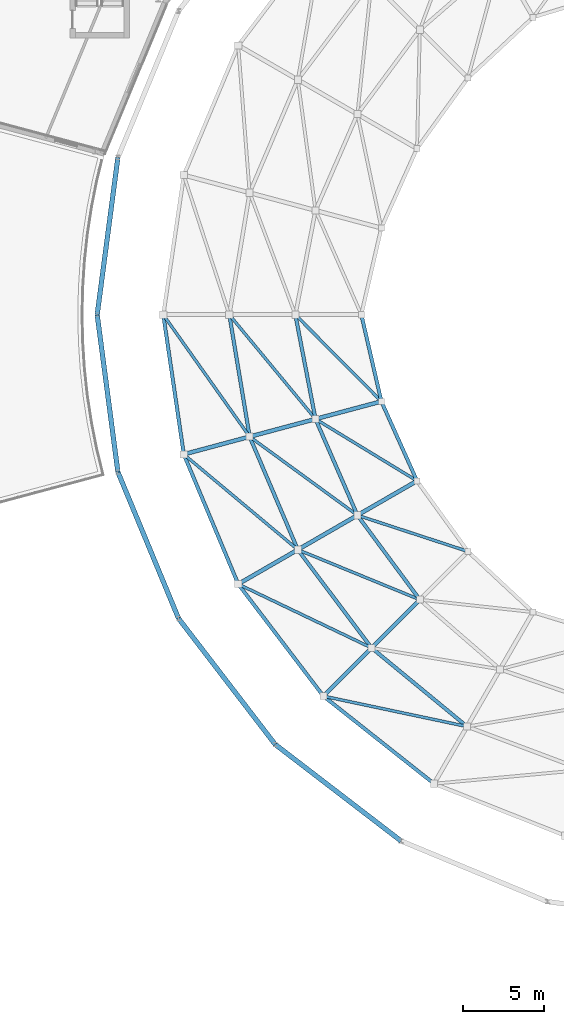
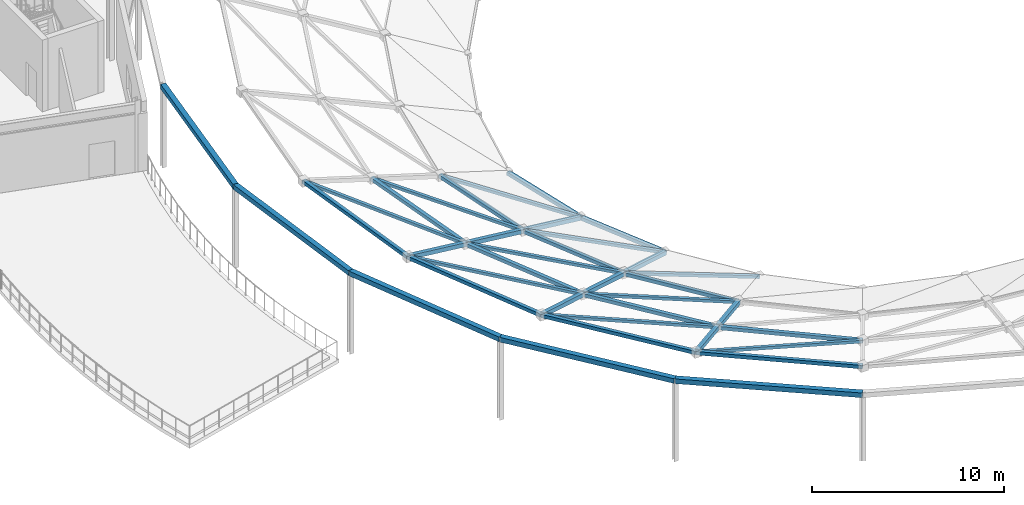
# One storey, part 14 of 89: 31 members, 5 beams.
"""IFC4 building model written with IfcOpenShell, lengths in metres."""

import ifcopenshell
import ifcopenshell.guid

model = None  # the IFC model being written
_history = None  # IfcOwnerHistory: only IFC2X3 demands one
_inside = {}  # id of a spatial element -> (the spatial element, [elements in it])
_under = {}  # id of a project, library or spatial element -> (it, [spatial elements below it])
_declared = {}  # id of a project -> (the project, [libraries it declares])
_typed = {}  # id of a type object -> (the type object, [elements of that type])
_made_of = {}  # id of a material, layer set ... -> (it, [elements and type objects made of it])


def new_model(schema):
    """Start an empty IFC model of exactly this schema.

    Asked for "IFC4X3", IfcOpenShell would pick the latest addendum, in which some entities
    have other attributes; the version numbers below select the first issue.
    IFC2X3 requires an IfcOwnerHistory on every rooted entity: one is made here for all.
    """
    global model, _history
    if schema == "IFC4X3":
        model = ifcopenshell.file(schema_version=(4, 3, 0, 0))
    else:
        model = ifcopenshell.file(schema=schema)
    _inside.clear()
    _under.clear()
    _declared.clear()
    _typed.clear()
    _made_of.clear()
    _history = None
    if model.schema == "IFC2X3":
        org = make("IfcOrganization", Name="unknown")
        user = make(
            "IfcPersonAndOrganization",
            ThePerson=make("IfcPerson", FamilyName="unknown"),
            TheOrganization=org,
        )
        app = make(
            "IfcApplication",
            ApplicationDeveloper=org,
            Version="unknown",
            ApplicationFullName="unknown",
            ApplicationIdentifier="unknown",
        )
        _history = make(
            "IfcOwnerHistory",
            OwningUser=user,
            OwningApplication=app,
            ChangeAction="ADDED",
            CreationDate=0,
        )
    return model


def make(cls, **values):
    """One entity of the class cls with the attributes given. An attribute that is None is left unset."""
    return model.create_entity(
        cls, **{name: value for name, value in values.items() if value is not None}
    )


def rooted(cls, **values):
    """An entity with a GlobalId (a new one), such as an element, a storey or a relation."""
    return make(cls, GlobalId=ifcopenshell.guid.new(), OwnerHistory=_history, **values)


def si_unit(unit_type, name, prefix=None):
    """IfcSIUnit, for example si_unit("LENGTHUNIT", "METRE", prefix="MILLI")."""
    return make("IfcSIUnit", UnitType=unit_type, Prefix=prefix, Name=name)


def assignment(units):
    """IfcUnitAssignment: the units of a project."""
    return None if units is None else make("IfcUnitAssignment", Units=units)


def point(xyz):
    """IfcCartesianPoint."""
    return None if xyz is None else make("IfcCartesianPoint", Coordinates=xyz)


def direction(xyz):
    """IfcDirection."""
    return None if xyz is None else make("IfcDirection", DirectionRatios=xyz)


def frame(location, z_axis=None, x_axis=None):
    """IfcAxis2Placement3D, a coordinate frame: its origin and axes. An axis left out is left unset."""
    return make(
        "IfcAxis2Placement3D",
        Location=point(location),
        Axis=direction(z_axis),
        RefDirection=direction(x_axis),
    )


def frame_2d(location, x_axis=None):
    """IfcAxis2Placement2D, a coordinate frame in the plane: its origin and x axis."""
    return make(
        "IfcAxis2Placement2D", Location=point(location), RefDirection=direction(x_axis)
    )


def origin():
    """The frame at (0, 0, 0) with its axes left unset."""
    return frame((0.0, 0.0, 0.0))


def origin_2d():
    """The frame at (0, 0) in the plane with its x axis left unset."""
    return frame_2d((0.0, 0.0))


def place(relative_to, where):
    """IfcLocalPlacement: puts the frame where relative to a parent placement (None: the world)."""
    return make(
        "IfcLocalPlacement", PlacementRelTo=relative_to, RelativePlacement=where
    )


def context(
    kind, dimensions, precision=None, world=None, true_north=None, identifier=None
):
    """IfcGeometricRepresentationContext, for example the 3D "Model" context."""
    return make(
        "IfcGeometricRepresentationContext",
        ContextIdentifier=identifier,
        ContextType=kind,
        CoordinateSpaceDimension=dimensions,
        Precision=precision,
        WorldCoordinateSystem=world,
        TrueNorth=true_north,
    )


def subcontext(parent, identifier, kind, view, scale=None):
    """IfcGeometricRepresentationSubContext, for example "Body" below "Model"."""
    return make(
        "IfcGeometricRepresentationSubContext",
        ContextIdentifier=identifier,
        ContextType=kind,
        ParentContext=parent,
        TargetScale=scale,
        TargetView=view,
    )


def project(units=None, contexts=None):
    """IfcProject with its units and contexts."""
    return rooted(
        "IfcProject",
        Name="project",
        RepresentationContexts=contexts,
        UnitsInContext=assignment(units),
    )


def spatial(cls, under=None, at=None, **own):
    """A site, building, storey or space (cls), placed at a placement, below another one or the project."""
    s = rooted(cls, ObjectPlacement=at, **own)
    if under is not None:
        _under.setdefault(under.id(), (under, []))[1].append(s)
    return s


def profile(cls, at=None, kind="AREA", **sizes):
    """A parametric profile (cls). Its sizes go by their IFC names, for example OverallWidth=200.0."""
    return make(cls, ProfileType=kind, Position=at, **sizes)


def hollow_rectangle(**sizes):
    """IfcRectangleHollowProfileDef."""
    return profile("IfcRectangleHollowProfileDef", **sizes)


def extrude(swept, where, along, depth):
    """IfcExtrudedAreaSolid: the profile swept, set in the frame where, extruded along a direction by depth."""
    return make(
        "IfcExtrudedAreaSolid",
        SweptArea=swept,
        Position=where,
        ExtrudedDirection=direction(along),
        Depth=depth,
    )


def shape(context_of_items, identifier, shape_type, items):
    """IfcShapeRepresentation: the items that make up one representation, for example the "Body"."""
    return make(
        "IfcShapeRepresentation",
        ContextOfItems=context_of_items,
        RepresentationIdentifier=identifier,
        RepresentationType=shape_type,
        Items=items,
    )


def material(Name=None, Category=None):
    """IfcMaterial."""
    return make("IfcMaterial", Name=Name, Category=Category)


def material_profile(
    of_material, cross_section, Name=None, Category=None, Priority=None
):
    """IfcMaterialProfile: a cross section and its material."""
    return make(
        "IfcMaterialProfile",
        Name=Name,
        Material=of_material,
        Profile=cross_section,
        Priority=Priority,
        Category=Category,
    )


def profile_set(profiles, Name=None, composite=None):
    """IfcMaterialProfileSet."""
    return make(
        "IfcMaterialProfileSet",
        Name=Name,
        MaterialProfiles=profiles,
        CompositeProfile=composite,
    )


def made_of(thing, what):
    """Note that an element or type object is made of a material, layer set ...; save() writes the relation."""
    if what is not None:
        _made_of.setdefault(what.id(), (what, []))[1].append(thing)
    return thing


def type_object(cls, material=None, **own):
    """A type object (cls), such as IfcWallType, which elements share."""
    return made_of(rooted(cls, **own), material)


def element(
    cls,
    number,
    at=None,
    inside=None,
    cuts=None,
    type_object=None,
    material=None,
    context=None,
    identifier="Body",
    shape_type=None,
    held_by="IfcProductDefinitionShape",
    body=None,
    shapes=None,
    **own,
):
    """One element of the class cls, such as IfcWall. Its Tag is "e" and its number.

    at: its placement. inside: the storey or other place that contains it. cuts: it is an
    opening in that element (IfcRelVoidsElement). A single representation is given by context,
    identifier, shape_type and body (its items); several are given by shapes. held_by: the class
    of the entity that holds the representations. save() writes the other relations.
    """
    e = rooted(cls, Tag="e%d" % number, ObjectPlacement=at, **own)
    if body is not None:
        shapes = [shape(context, identifier, shape_type, body)]
    if shapes is not None:
        e.Representation = make(held_by, Representations=shapes)
    if inside is not None:
        _inside.setdefault(inside.id(), (inside, []))[1].append(e)
    if cuts is not None:
        rooted(
            "IfcRelVoidsElement", RelatingBuildingElement=cuts, RelatedOpeningElement=e
        )
    if type_object is not None:
        _typed.setdefault(type_object.id(), (type_object, []))[1].append(e)
    return made_of(e, material)


def aggregate(whole, parts):
    """IfcRelAggregates: a whole, such as a stair, and the parts it consists of."""
    return rooted("IfcRelAggregates", RelatingObject=whole, RelatedObjects=parts)


def save(model, path):
    """Write the relations noted so far, then the file.

    IfcRelAggregates (storeys below a building ...), IfcRelContainedInSpatialStructure (elements
    in a storey), IfcRelDefinesByType, IfcRelAssociatesMaterial and IfcRelDeclares: one each for
    every whole, place, type object, material and project.
    """
    for whole, parts in _under.values():
        aggregate(whole, parts)
    for where, things in _inside.values():
        rooted(
            "IfcRelContainedInSpatialStructure",
            RelatedElements=things,
            RelatingStructure=where,
        )
    for kind, things in _typed.values():
        rooted("IfcRelDefinesByType", RelatedObjects=things, RelatingType=kind)
    for what, things in _made_of.values():
        rooted("IfcRelAssociatesMaterial", RelatedObjects=things, RelatingMaterial=what)
    for by, libraries in _declared.values():
        rooted("IfcRelDeclares", RelatingContext=by, RelatedDefinitions=libraries)
    model.write(path)


model = new_model("IFC4")

# Units and contexts
model_context = context("Model", 3, precision=1e-05, world=origin(), true_north=direction((0.0, 1.0)))
body_context = subcontext(model_context, "Body", "Model", "MODEL_VIEW")
ifc_project = project(units=[si_unit("LENGTHUNIT", "METRE"), si_unit("AREAUNIT", "SQUARE_METRE"), si_unit("VOLUMEUNIT", "CUBIC_METRE"), si_unit("PLANEANGLEUNIT", "RADIAN"), si_unit("MASSUNIT", "GRAM", prefix="KILO")], contexts=[model_context])

# Site, building, storey
site_placement = place(None, origin())
site = spatial("IfcSite", under=ifc_project, at=site_placement, CompositionType="ELEMENT")
building_placement = place(site_placement, origin())
building = spatial("IfcBuilding", under=site, at=building_placement, Name="Almandine Court Research Institute", CompositionType="ELEMENT")
storey_placement = place(building_placement, frame((0.0, 0.0, 18.89990234375)))
storey = spatial("IfcBuildingStorey", under=building, at=storey_placement, Name="L04", CompositionType="ELEMENT", Elevation=18.89990234375)

# Beams
ifc_material = material(Name="Steel ASTM A500 Grade C", Category="steel")
ifc_material_profile_1 = material_profile(ifc_material, hollow_rectangle(XDim=0.300048828125, YDim=0.300048828125, WallThickness=0.011962890625, at=origin_2d()), Name="HSS 300x300x12")
ifc_profile_set_1 = profile_set([ifc_material_profile_1], Name="Steel ASTM A500 Grade C")
beam_type = type_object("IfcBeamType", Name="Beam-RB-01-E", PredefinedType="BEAM", material=ifc_profile_set_1)
for number, where, z_axis, x_axis, name in (
    (1, (50.633056640625, 65.7451171875, 5.10009765625), (-0.130525188913, -0.991444993461, 0.0), (0.991444993461, -0.130525188913, 0.0), "Gridshell Outer Ring Beam ORB-12"),
    (2, (49.35009765625, 56.0, 5.10009765625), (0.130525188913, -0.991444993461, 0.0), (0.991444993461, 0.130525188913, 0.0), "Gridshell Outer Ring Beam ORB-13"),
):
    element("IfcBeam", number, at=place(storey_placement, frame(where, z_axis=z_axis, x_axis=x_axis)), inside=storey, type_object=beam_type, Name=name, PredefinedType="BEAM", context=body_context, shape_type="SweptSolid", body=[
        extrude(hollow_rectangle(XDim=0.300048828125, YDim=0.300048828125, WallThickness=0.011962890625, at=origin_2d()), origin(), (0.0, 0.0, 1.0), 9.8291015625),
    ])
beam_placement = place(storey_placement, frame((50.633056640625, 46.2548828125, 5.10009765625), z_axis=(0.382683080424, -0.92387967829, 0.0), x_axis=(0.92387967829, 0.382683080424, 0.0)))
element("IfcBeam", 3, at=beam_placement, inside=storey, type_object=beam_type, Name="Gridshell Outer Ring Beam ORB-14", PredefinedType="BEAM", context=body_context, shape_type="SweptSolid", body=[
    extrude(hollow_rectangle(XDim=0.300048828125, YDim=0.300048828125, WallThickness=0.011962890625, at=origin_2d()), origin(), (0.0, 0.0, 1.0), 9.827880859375),
])
for number, where, z_axis, x_axis, name in (
    (4, (54.39404296875, 37.175048828125, 5.10009765625), (0.608711534396, -0.793391623282, 0.0), (0.793391623282, 0.608711534396, 0.0), "Gridshell Outer Ring Beam ORB-15"),
    (5, (60.376953125, 29.376953125, 5.10009765625), (0.793391623282, -0.608711534396, 0.0), (0.608711534396, 0.793391623282, 0.0), "Gridshell Outer Ring Beam ORB-16"),
):
    element("IfcBeam", number, at=place(storey_placement, frame(where, z_axis=z_axis, x_axis=x_axis)), inside=storey, type_object=beam_type, Name=name, PredefinedType="BEAM", context=body_context, shape_type="SweptSolid", body=[
        extrude(hollow_rectangle(XDim=0.300048828125, YDim=0.300048828125, WallThickness=0.011962890625, at=origin_2d()), origin(), (0.0, 0.0, 1.0), 9.828857421875),
    ])

# Members
ifc_material_profile_2 = material_profile(ifc_material, hollow_rectangle(XDim=0.25, YDim=0.25, WallThickness=0.010009765625, at=origin_2d()), Name="HSS 250x250x10")
ifc_profile_set_2 = profile_set([ifc_material_profile_2], Name="Steel ASTM A500 Grade C")
member_type_1 = type_object("IfcMemberType", Name="Mem-GS-AR1", PredefinedType="RAFTER", material=ifc_profile_set_2)
member_1_placement = place(storey_placement, frame((54.715087890625, 47.34912109375, 3.9931640625), z_axis=(0.925822235368, 0.248122573964, -0.285111165665), x_axis=(-0.258866989029, 0.965912978478, 0.0)))
element("IfcMember", 6, at=member_1_placement, inside=storey, type_object=member_type_1, Name="Atrium Conical Gridshell Radial Rib R1-S13", PredefinedType="RAFTER", context=body_context, shape_type="SweptSolid", body=[
    extrude(hollow_rectangle(XDim=0.25, YDim=0.25, WallThickness=0.010009765625, at=origin_2d()), origin(), (0.0, 0.0, 1.0), 4.4091796875),
])
member_2_placement = place(storey_placement, frame((58.087890625, 39.30810546875, 3.9931640625), z_axis=(0.830787954745, 0.479442232558, -0.282712786926), x_axis=(-0.499833120622, 0.866121730203, 0.0)))
element("IfcMember", 7, at=member_2_placement, inside=storey, type_object=member_type_1, Name="Atrium Conical Gridshell Radial Rib R1-S14", PredefinedType="RAFTER", context=body_context, shape_type="SweptSolid", body=[
    extrude(hollow_rectangle(XDim=0.25, YDim=0.25, WallThickness=0.010009765625, at=origin_2d()), origin(), (0.0, 0.0, 1.0), 4.446533203125),
])
member_3_placement = place(storey_placement, frame((63.365966796875, 32.365966796875, 3.9931640625), z_axis=(0.677753192831, 0.677753192831, -0.285133686566), x_axis=(-0.707106781187, 0.707106781187, 0.0)))
element("IfcMember", 8, at=member_3_placement, inside=storey, type_object=member_type_1, Name="Atrium Conical Gridshell Radial Rib R1-S15", PredefinedType="RAFTER", context=body_context, shape_type="SweptSolid", body=[
    extrude(hollow_rectangle(XDim=0.25, YDim=0.25, WallThickness=0.010009765625, at=origin_2d()), origin(), (0.0, 0.0, 1.0), 4.40869140625),
])
member_4_placement = place(storey_placement, frame((58.797119140625, 48.443115234375, 2.736083984375), z_axis=(0.925782669721, 0.248186188634, -0.285184263619), x_axis=(-0.258939233271, 0.965893613952, 0.0)))
element("IfcMember", 9, at=member_4_placement, inside=storey, type_object=member_type_1, Name="Atrium Conical Gridshell Radial Rib R2-S13", PredefinedType="RAFTER", context=body_context, shape_type="SweptSolid", body=[
    extrude(hollow_rectangle(XDim=0.25, YDim=0.25, WallThickness=0.010009765625, at=origin_2d()), origin(), (0.0, 0.0, 1.0), 4.407958984375),
])
member_5_placement = place(storey_placement, frame((61.781982421875, 41.43994140625, 2.736083984375), z_axis=(0.830610507345, 0.479741125317, -0.282727143671), x_axis=(-0.500146931843, 0.865940556025, 0.0)))
element("IfcMember", 10, at=member_5_placement, inside=storey, type_object=member_type_1, Name="Atrium Conical Gridshell Radial Rib R2-S14", PredefinedType="RAFTER", context=body_context, shape_type="SweptSolid", body=[
    extrude(hollow_rectangle(XDim=0.25, YDim=0.25, WallThickness=0.010009765625, at=origin_2d()), origin(), (0.0, 0.0, 1.0), 4.4462890625),
])
member_6_placement = place(storey_placement, frame((66.35400390625, 35.35400390625, 2.736083984375), z_axis=(0.677753192831, 0.677753192831, -0.285133686566), x_axis=(-0.707106781187, 0.707106781187, 0.0)))
element("IfcMember", 11, at=member_6_placement, inside=storey, type_object=member_type_1, Name="Atrium Conical Gridshell Radial Rib R2-S15", PredefinedType="RAFTER", context=body_context, shape_type="SweptSolid", body=[
    extrude(hollow_rectangle(XDim=0.25, YDim=0.25, WallThickness=0.010009765625, at=origin_2d()), origin(), (0.0, 0.0, 1.0), 4.40869140625),
])
member_7_placement = place(storey_placement, frame((62.8779296875, 49.537109375, 1.47900390625), z_axis=(0.925841938996, 0.247850987975, -0.285283353451), x_axis=(-0.258597465656, 0.965985171085, 0.0)))
element("IfcMember", 12, at=member_7_placement, inside=storey, type_object=member_type_1, Name="Atrium Conical Gridshell Radial Rib R3-S13", PredefinedType="RAFTER", context=body_context, shape_type="SweptSolid", body=[
    extrude(hollow_rectangle(XDim=0.25, YDim=0.25, WallThickness=0.010009765625, at=origin_2d()), origin(), (0.0, 0.0, 1.0), 4.408935546875),
])
member_8_placement = place(storey_placement, frame((65.47509765625, 43.572998046875, 1.47900390625), z_axis=(0.830710375587, 0.479484052214, -0.282869785527), x_axis=(-0.499900842016, 0.866082645105, 0.0)))
element("IfcMember", 13, at=member_8_placement, inside=storey, type_object=member_type_1, Name="Atrium Conical Gridshell Radial Rib R3-S14", PredefinedType="RAFTER", context=body_context, shape_type="SweptSolid", body=[
    extrude(hollow_rectangle(XDim=0.25, YDim=0.25, WallThickness=0.010009765625, at=origin_2d()), origin(), (0.0, 0.0, 1.0), 4.446533203125),
])
ifc_material_profile_3 = material_profile(ifc_material, hollow_rectangle(XDim=0.179931640625, YDim=0.179931640625, WallThickness=0.008056640625, at=origin_2d()), Name="HSS 180x180x8")
ifc_profile_set_3 = profile_set([ifc_material_profile_3], Name="Steel ASTM A500 Grade C")
member_type_2 = type_object("IfcMemberType", Name="Mem-GS-BR1", PredefinedType="BRACE", material=ifc_profile_set_3)
member_9_placement = place(storey_placement, frame((53.443115234375, 56.0, 3.9931640625), z_axis=(0.572851388472, -0.80854851926, -0.134501222036), x_axis=(0.815962824427, 0.578104375656, 0.0)))
element("IfcMember", 14, at=member_9_placement, inside=storey, type_object=member_type_2, Name="Atrium Conical Gridshell Diagonal Brace R1-S12", PredefinedType="BRACE", context=body_context, shape_type="SweptSolid", body=[
    extrude(hollow_rectangle(XDim=0.179931640625, YDim=0.179931640625, WallThickness=0.008056640625, at=origin_2d()), origin(), (0.0, 0.0, 1.0), 9.34619140625),
])
member_10_placement = place(storey_placement, frame((54.715087890625, 47.34912109375, 3.9931640625), z_axis=(0.760102396588, -0.635580681511, -0.135209260003), x_axis=(0.641471270586, 0.76714705827, 0.0)))
element("IfcMember", 15, at=member_10_placement, inside=storey, type_object=member_type_2, Name="Atrium Conical Gridshell Diagonal Brace R1-S13", PredefinedType="BRACE", context=body_context, shape_type="SweptSolid", body=[
    extrude(hollow_rectangle(XDim=0.179931640625, YDim=0.179931640625, WallThickness=0.008056640625, at=origin_2d()), origin(), (0.0, 0.0, 1.0), 9.29736328125),
])
member_11_placement = place(storey_placement, frame((58.087890625, 39.30810546875, 3.9931640625), z_axis=(0.893731546791, -0.427517163797, -0.13591540358), x_axis=(0.431521490564, 0.902102656676, 0.0)))
element("IfcMember", 16, at=member_11_placement, inside=storey, type_object=member_type_2, Name="Atrium Conical Gridshell Diagonal Brace R1-S14", PredefinedType="BRACE", context=body_context, shape_type="SweptSolid", body=[
    extrude(hollow_rectangle(XDim=0.179931640625, YDim=0.179931640625, WallThickness=0.008056640625, at=origin_2d()), origin(), (0.0, 0.0, 1.0), 9.2490234375),
])
member_12_placement = place(storey_placement, frame((63.365966796875, 32.365966796875, 3.9931640625), z_axis=(0.969146294413, -0.205003026871, -0.136854736855), x_axis=(0.206950194962, 0.978351479176, 0.0)))
element("IfcMember", 17, at=member_12_placement, inside=storey, type_object=member_type_2, Name="Atrium Conical Gridshell Diagonal Brace R1-S15", PredefinedType="BRACE", context=body_context, shape_type="SweptSolid", body=[
    extrude(hollow_rectangle(XDim=0.179931640625, YDim=0.179931640625, WallThickness=0.008056640625, at=origin_2d()), origin(), (0.0, 0.0, 1.0), 9.185546875),
])
member_13_placement = place(storey_placement, frame((57.535888671875, 56.0, 2.736083984375), z_axis=(0.630061906521, -0.762259439213, -0.148265104734), x_axis=(0.770778349639, 0.637103394849, 0.0)))
element("IfcMember", 18, at=member_13_placement, inside=storey, type_object=member_type_2, Name="Atrium Conical Gridshell Diagonal Brace R2-S12", PredefinedType="BRACE", context=body_context, shape_type="SweptSolid", body=[
    extrude(hollow_rectangle(XDim=0.179931640625, YDim=0.179931640625, WallThickness=0.008056640625, at=origin_2d()), origin(), (0.0, 0.0, 1.0), 8.478515625),
])
member_14_placement = place(storey_placement, frame((58.797119140625, 48.443115234375, 2.736083984375), z_axis=(0.798777892473, -0.582532862906, -0.150364032038), x_axis=(0.589232019432, 0.807963877457, 0.0)))
element("IfcMember", 19, at=member_14_placement, inside=storey, type_object=member_type_2, Name="Atrium Conical Gridshell Diagonal Brace R2-S13", PredefinedType="BRACE", context=body_context, shape_type="SweptSolid", body=[
    extrude(hollow_rectangle(XDim=0.179931640625, YDim=0.179931640625, WallThickness=0.008056640625, at=origin_2d()), origin(), (0.0, 0.0, 1.0), 8.3603515625),
])
member_15_placement = place(storey_placement, frame((61.781982421875, 41.43994140625, 2.736083984375), z_axis=(0.914563732767, -0.374762617228, -0.152072875412), x_axis=(0.379172667023, 0.925325936404, 0.0)))
element("IfcMember", 20, at=member_15_placement, inside=storey, type_object=member_type_2, Name="Atrium Conical Gridshell Diagonal Brace R2-S14", PredefinedType="BRACE", context=body_context, shape_type="SweptSolid", body=[
    extrude(hollow_rectangle(XDim=0.179931640625, YDim=0.179931640625, WallThickness=0.008056640625, at=origin_2d()), origin(), (0.0, 0.0, 1.0), 8.266357421875),
])
member_16_placement = place(storey_placement, frame((61.62890625, 56.0, 1.47900390625), z_axis=(0.694984866823, -0.700077263722, -0.163975180155), x_axis=(0.709683205741, 0.704520934741, 0.0)))
element("IfcMember", 21, at=member_16_placement, inside=storey, type_object=member_type_2, Name="Atrium Conical Gridshell Diagonal Brace R3-S12", PredefinedType="BRACE", context=body_context, shape_type="SweptSolid", body=[
    extrude(hollow_rectangle(XDim=0.179931640625, YDim=0.179931640625, WallThickness=0.008056640625, at=origin_2d()), origin(), (0.0, 0.0, 1.0), 7.670654296875),
])
member_17_placement = place(storey_placement, frame((62.8779296875, 49.537109375, 1.47900390625), z_axis=(0.841849983896, -0.512794060355, -0.168317724194), x_axis=(0.520216089799, 0.854034671377, 0.0)))
element("IfcMember", 22, at=member_17_placement, inside=storey, type_object=member_type_2, Name="Atrium Conical Gridshell Diagonal Brace R3-S13", PredefinedType="BRACE", context=body_context, shape_type="SweptSolid", body=[
    extrude(hollow_rectangle(XDim=0.179931640625, YDim=0.179931640625, WallThickness=0.008056640625, at=origin_2d()), origin(), (0.0, 0.0, 1.0), 7.472900390625),
])
member_18_placement = place(storey_placement, frame((65.47509765625, 43.572998046875, 1.47900390625), z_axis=(0.936288068014, -0.306349400984, -0.171798423193), x_axis=(0.310972907606, 0.950418776506, 0.0)))
element("IfcMember", 23, at=member_18_placement, inside=storey, type_object=member_type_2, Name="Atrium Conical Gridshell Diagonal Brace R3-S14", PredefinedType="BRACE", context=body_context, shape_type="SweptSolid", body=[
    extrude(hollow_rectangle(XDim=0.179931640625, YDim=0.179931640625, WallThickness=0.008056640625, at=origin_2d()), origin(), (0.0, 0.0, 1.0), 7.321533203125),
])
ifc_material_profile_4 = material_profile(ifc_material, hollow_rectangle(XDim=0.219970703125, YDim=0.219970703125, WallThickness=0.010009765625, at=origin_2d()), Name="HSS 220x220x10")
ifc_profile_set_4 = profile_set([ifc_material_profile_4], Name="Steel ASTM A500 Grade C")
member_type_3 = type_object("IfcMemberType", Name="Mem-GS-ST1", PredefinedType="COLLAR", material=ifc_profile_set_4)
member_19_placement = place(storey_placement, frame((53.443115234375, 56.0, 3.9931640625), z_axis=(0.145469875543, -0.989362681381, 0.0), x_axis=(0.989362681381, 0.145469875543, 0.0)))
element("IfcMember", 24, at=member_19_placement, inside=storey, type_object=member_type_3, Name="Atrium Conical Gridshell Hoop Ring R1-S12", PredefinedType="COLLAR", context=body_context, shape_type="SweptSolid", body=[
    extrude(hollow_rectangle(XDim=0.219970703125, YDim=0.219970703125, WallThickness=0.010009765625, at=origin_2d()), origin(), (0.0, 0.0, 1.0), 8.743896484375),
])
member_20_placement = place(storey_placement, frame((54.715087890625, 47.34912109375, 3.9931640625), z_axis=(0.386801181098, -0.922163134321, 0.0), x_axis=(0.922163134321, 0.386801181098, 0.0)))
element("IfcMember", 25, at=member_20_placement, inside=storey, type_object=member_type_3, Name="Atrium Conical Gridshell Hoop Ring R1-S13", PredefinedType="COLLAR", context=body_context, shape_type="SweptSolid", body=[
    extrude(hollow_rectangle(XDim=0.219970703125, YDim=0.219970703125, WallThickness=0.010009765625, at=origin_2d()), origin(), (0.0, 0.0, 1.0), 8.7197265625),
])
member_21_placement = place(storey_placement, frame((58.087890625, 39.30810546875, 3.9931640625), z_axis=(0.605232319599, -0.796048892539, 0.0), x_axis=(0.796048892539, 0.605232319599, 0.0)))
element("IfcMember", 26, at=member_21_placement, inside=storey, type_object=member_type_3, Name="Atrium Conical Gridshell Hoop Ring R1-S14", PredefinedType="COLLAR", context=body_context, shape_type="SweptSolid", body=[
    extrude(hollow_rectangle(XDim=0.219970703125, YDim=0.219970703125, WallThickness=0.010009765625, at=origin_2d()), origin(), (0.0, 0.0, 1.0), 8.720703125),
])
member_22_placement = place(storey_placement, frame((63.365966796875, 32.365966796875, 3.9931640625), z_axis=(0.784037897323, -0.620712957461, 0.0), x_axis=(0.620712957461, 0.784037897323, 0.0)))
element("IfcMember", 27, at=member_22_placement, inside=storey, type_object=member_type_3, Name="Atrium Conical Gridshell Hoop Ring R1-S15", PredefinedType="COLLAR", context=body_context, shape_type="SweptSolid", body=[
    extrude(hollow_rectangle(XDim=0.219970703125, YDim=0.219970703125, WallThickness=0.010009765625, at=origin_2d()), origin(), (0.0, 0.0, 1.0), 8.7431640625),
])
member_23_placement = place(storey_placement, frame((57.535888671875, 56.0, 2.736083984375), z_axis=(0.164621185821, -0.986356865023, 0.0), x_axis=(0.986356865023, 0.164621185821, 0.0)))
element("IfcMember", 28, at=member_23_placement, inside=storey, type_object=member_type_3, Name="Atrium Conical Gridshell Hoop Ring R2-S12", PredefinedType="COLLAR", context=body_context, shape_type="SweptSolid", body=[
    extrude(hollow_rectangle(XDim=0.219970703125, YDim=0.219970703125, WallThickness=0.010009765625, at=origin_2d()), origin(), (0.0, 0.0, 1.0), 7.661376953125),
])
member_24_placement = place(storey_placement, frame((58.797119140625, 48.443115234375, 2.736083984375), z_axis=(0.392087762798, -0.91992781579, 0.0), x_axis=(0.91992781579, 0.392087762798, 0.0)))
element("IfcMember", 29, at=member_24_placement, inside=storey, type_object=member_type_3, Name="Atrium Conical Gridshell Hoop Ring R2-S13", PredefinedType="COLLAR", context=body_context, shape_type="SweptSolid", body=[
    extrude(hollow_rectangle(XDim=0.219970703125, YDim=0.219970703125, WallThickness=0.010009765625, at=origin_2d()), origin(), (0.0, 0.0, 1.0), 7.61279296875),
])
member_25_placement = place(storey_placement, frame((61.781982421875, 41.43994140625, 2.736083984375), z_axis=(0.600636143888, -0.799522496654, 0.0), x_axis=(0.799522496654, 0.600636143888, 0.0)))
element("IfcMember", 30, at=member_25_placement, inside=storey, type_object=member_type_3, Name="Atrium Conical Gridshell Hoop Ring R2-S14", PredefinedType="COLLAR", context=body_context, shape_type="SweptSolid", body=[
    extrude(hollow_rectangle(XDim=0.219970703125, YDim=0.219970703125, WallThickness=0.010009765625, at=origin_2d()), origin(), (0.0, 0.0, 1.0), 7.612060546875),
])
member_26_placement = place(storey_placement, frame((66.35400390625, 35.35400390625, 2.736083984375), z_axis=(0.77188608333, -0.635760862558, 0.0), x_axis=(0.635760862558, 0.77188608333, 0.0)))
element("IfcMember", 31, at=member_26_placement, inside=storey, type_object=member_type_3, Name="Atrium Conical Gridshell Hoop Ring R2-S15", PredefinedType="COLLAR", context=body_context, shape_type="SweptSolid", body=[
    extrude(hollow_rectangle(XDim=0.219970703125, YDim=0.219970703125, WallThickness=0.010009765625, at=origin_2d()), origin(), (0.0, 0.0, 1.0), 7.661865234375),
])
member_27_placement = place(storey_placement, frame((61.62890625, 56.0, 1.47900390625), z_axis=(0.189749736202, -0.981832489588, 0.0), x_axis=(0.981832489588, 0.189749736202, 0.0)))
element("IfcMember", 32, at=member_27_placement, inside=storey, type_object=member_type_3, Name="Atrium Conical Gridshell Hoop Ring R3-S12", PredefinedType="COLLAR", context=body_context, shape_type="SweptSolid", body=[
    extrude(hollow_rectangle(XDim=0.219970703125, YDim=0.219970703125, WallThickness=0.010009765625, at=origin_2d()), origin(), (0.0, 0.0, 1.0), 6.58251953125),
])
for number, where, z_axis, x_axis, name in (
    (33, (62.8779296875, 49.537109375, 1.47900390625), (0.399253028635, -0.916840781775, 0.0), (0.916840781775, 0.399253028635, 0.0), "Atrium Conical Gridshell Hoop Ring R3-S13"),
    (34, (65.47509765625, 43.572998046875, 1.47900390625), (0.594449099099, -0.804133240564, 0.0), (0.804133240564, 0.594449099099, 0.0), "Atrium Conical Gridshell Hoop Ring R3-S14"),
):
    element("IfcMember", number, at=place(storey_placement, frame(where, z_axis=z_axis, x_axis=x_axis)), inside=storey, type_object=member_type_3, Name=name, PredefinedType="COLLAR", context=body_context, shape_type="SweptSolid", body=[
        extrude(hollow_rectangle(XDim=0.219970703125, YDim=0.219970703125, WallThickness=0.010009765625, at=origin_2d()), origin(), (0.0, 0.0, 1.0), 6.505126953125),
    ])
member_28_placement = place(storey_placement, frame((65.720947265625, 56.0, 0.22119140625), z_axis=(0.224817447322, -0.974400900749, 0.0), x_axis=(0.974400900749, 0.224817447322, 0.0)))
element("IfcMember", 35, at=member_28_placement, inside=storey, type_object=member_type_3, Name="Atrium Conical Gridshell Hoop Ring R4-S12", PredefinedType="COLLAR", context=body_context, shape_type="SweptSolid", body=[
    extrude(hollow_rectangle(XDim=0.219970703125, YDim=0.219970703125, WallThickness=0.010009765625, at=origin_2d()), origin(), (0.0, 0.0, 1.0), 5.51123046875),
])
member_29_placement = place(storey_placement, frame((66.9599609375, 50.6298828125, 0.22119140625), z_axis=(0.409258497227, -0.912418479892, 0.0), x_axis=(0.912418479892, 0.409258497227, 0.0)))
element("IfcMember", 36, at=member_29_placement, inside=storey, type_object=member_type_3, Name="Atrium Conical Gridshell Hoop Ring R4-S13", PredefinedType="COLLAR", context=body_context, shape_type="SweptSolid", body=[
    extrude(hollow_rectangle(XDim=0.219970703125, YDim=0.219970703125, WallThickness=0.010009765625, at=origin_2d()), origin(), (0.0, 0.0, 1.0), 5.3974609375),
])

save(model, "model.ifc")
